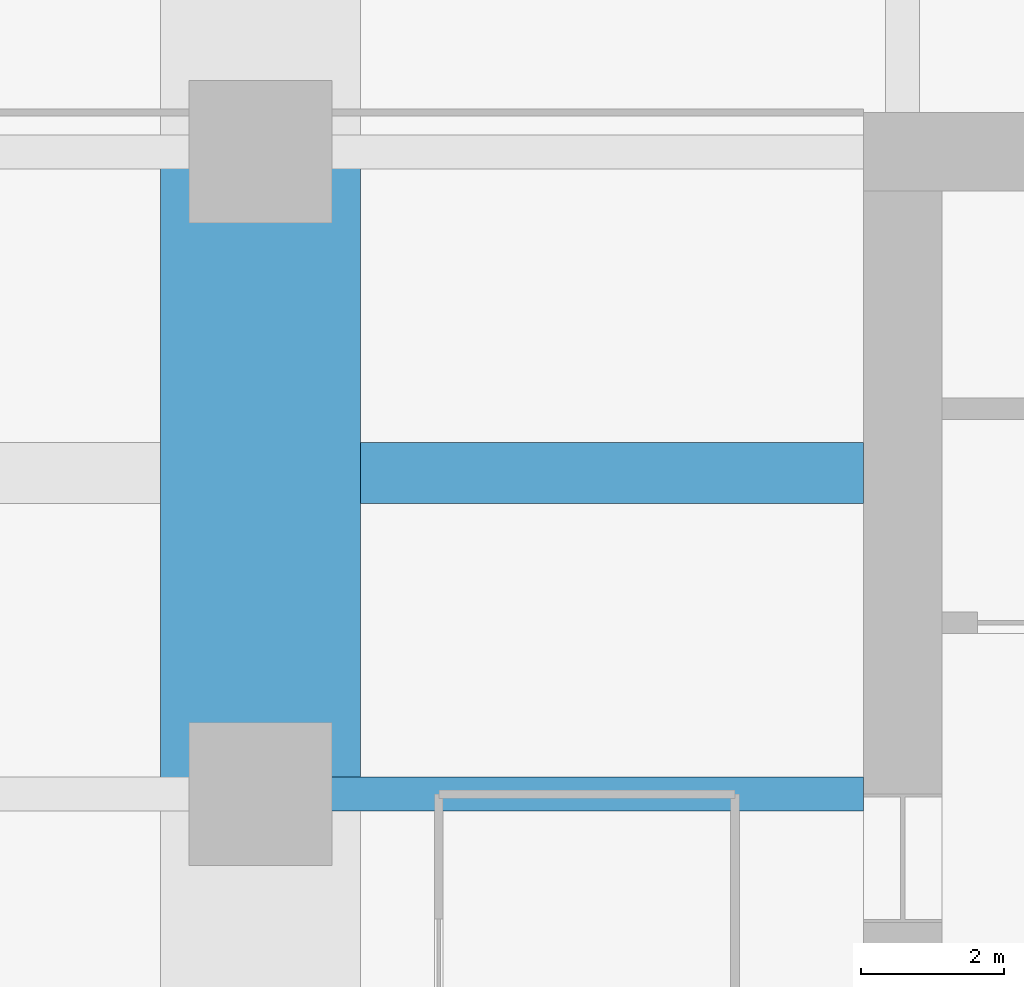
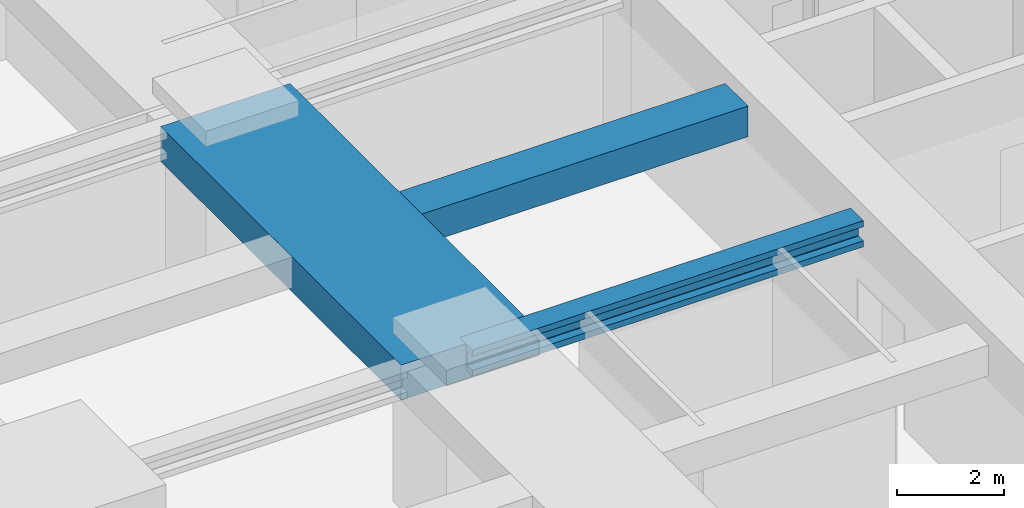
# One storey, part 13 of 45: 3 beams.
"""IFC4 building model written with IfcOpenShell, lengths in metres."""

import ifcopenshell
import ifcopenshell.guid

model = None  # the IFC model being written
_history = None  # IfcOwnerHistory: only IFC2X3 demands one
_inside = {}  # id of a spatial element -> (the spatial element, [elements in it])
_under = {}  # id of a project, library or spatial element -> (it, [spatial elements below it])
_declared = {}  # id of a project -> (the project, [libraries it declares])
_typed = {}  # id of a type object -> (the type object, [elements of that type])
_made_of = {}  # id of a material, layer set ... -> (it, [elements and type objects made of it])


def new_model(schema):
    """Start an empty IFC model of exactly this schema.

    Asked for "IFC4X3", IfcOpenShell would pick the latest addendum, in which some entities
    have other attributes; the version numbers below select the first issue.
    IFC2X3 requires an IfcOwnerHistory on every rooted entity: one is made here for all.
    """
    global model, _history
    if schema == "IFC4X3":
        model = ifcopenshell.file(schema_version=(4, 3, 0, 0))
    else:
        model = ifcopenshell.file(schema=schema)
    _inside.clear()
    _under.clear()
    _declared.clear()
    _typed.clear()
    _made_of.clear()
    _history = None
    if model.schema == "IFC2X3":
        org = make("IfcOrganization", Name="unknown")
        user = make(
            "IfcPersonAndOrganization",
            ThePerson=make("IfcPerson", FamilyName="unknown"),
            TheOrganization=org,
        )
        app = make(
            "IfcApplication",
            ApplicationDeveloper=org,
            Version="unknown",
            ApplicationFullName="unknown",
            ApplicationIdentifier="unknown",
        )
        _history = make(
            "IfcOwnerHistory",
            OwningUser=user,
            OwningApplication=app,
            ChangeAction="ADDED",
            CreationDate=0,
        )
    return model


def make(cls, **values):
    """One entity of the class cls with the attributes given. An attribute that is None is left unset."""
    return model.create_entity(
        cls, **{name: value for name, value in values.items() if value is not None}
    )


def rooted(cls, **values):
    """An entity with a GlobalId (a new one), such as an element, a storey or a relation."""
    return make(cls, GlobalId=ifcopenshell.guid.new(), OwnerHistory=_history, **values)


def si_unit(unit_type, name, prefix=None):
    """IfcSIUnit, for example si_unit("LENGTHUNIT", "METRE", prefix="MILLI")."""
    return make("IfcSIUnit", UnitType=unit_type, Prefix=prefix, Name=name)


def assignment(units):
    """IfcUnitAssignment: the units of a project."""
    return None if units is None else make("IfcUnitAssignment", Units=units)


def point(xyz):
    """IfcCartesianPoint."""
    return None if xyz is None else make("IfcCartesianPoint", Coordinates=xyz)


def direction(xyz):
    """IfcDirection."""
    return None if xyz is None else make("IfcDirection", DirectionRatios=xyz)


def frame(location, z_axis=None, x_axis=None):
    """IfcAxis2Placement3D, a coordinate frame: its origin and axes. An axis left out is left unset."""
    return make(
        "IfcAxis2Placement3D",
        Location=point(location),
        Axis=direction(z_axis),
        RefDirection=direction(x_axis),
    )


def frame_2d(location, x_axis=None):
    """IfcAxis2Placement2D, a coordinate frame in the plane: its origin and x axis."""
    return make(
        "IfcAxis2Placement2D", Location=point(location), RefDirection=direction(x_axis)
    )


def origin():
    """The frame at (0, 0, 0) with its axes left unset."""
    return frame((0.0, 0.0, 0.0))


def origin_2d():
    """The frame at (0, 0) in the plane with its x axis left unset."""
    return frame_2d((0.0, 0.0))


def place(relative_to, where):
    """IfcLocalPlacement: puts the frame where relative to a parent placement (None: the world)."""
    return make(
        "IfcLocalPlacement", PlacementRelTo=relative_to, RelativePlacement=where
    )


def context(
    kind, dimensions, precision=None, world=None, true_north=None, identifier=None
):
    """IfcGeometricRepresentationContext, for example the 3D "Model" context."""
    return make(
        "IfcGeometricRepresentationContext",
        ContextIdentifier=identifier,
        ContextType=kind,
        CoordinateSpaceDimension=dimensions,
        Precision=precision,
        WorldCoordinateSystem=world,
        TrueNorth=true_north,
    )


def subcontext(parent, identifier, kind, view, scale=None):
    """IfcGeometricRepresentationSubContext, for example "Body" below "Model"."""
    return make(
        "IfcGeometricRepresentationSubContext",
        ContextIdentifier=identifier,
        ContextType=kind,
        ParentContext=parent,
        TargetScale=scale,
        TargetView=view,
    )


def project(units=None, contexts=None):
    """IfcProject with its units and contexts."""
    return rooted(
        "IfcProject",
        Name="project",
        RepresentationContexts=contexts,
        UnitsInContext=assignment(units),
    )


def spatial(cls, under=None, at=None, **own):
    """A site, building, storey or space (cls), placed at a placement, below another one or the project."""
    s = rooted(cls, ObjectPlacement=at, **own)
    if under is not None:
        _under.setdefault(under.id(), (under, []))[1].append(s)
    return s


def profile(cls, at=None, kind="AREA", **sizes):
    """A parametric profile (cls). Its sizes go by their IFC names, for example OverallWidth=200.0."""
    return make(cls, ProfileType=kind, Position=at, **sizes)


def rectangle(**sizes):
    """IfcRectangleProfileDef."""
    return profile("IfcRectangleProfileDef", **sizes)


def i_section(**sizes):
    """IfcIShapeProfileDef."""
    return profile("IfcIShapeProfileDef", **sizes)


def extrude(swept, where, along, depth):
    """IfcExtrudedAreaSolid: the profile swept, set in the frame where, extruded along a direction by depth."""
    return make(
        "IfcExtrudedAreaSolid",
        SweptArea=swept,
        Position=where,
        ExtrudedDirection=direction(along),
        Depth=depth,
    )


def shape(context_of_items, identifier, shape_type, items):
    """IfcShapeRepresentation: the items that make up one representation, for example the "Body"."""
    return make(
        "IfcShapeRepresentation",
        ContextOfItems=context_of_items,
        RepresentationIdentifier=identifier,
        RepresentationType=shape_type,
        Items=items,
    )


def material(Name=None, Category=None):
    """IfcMaterial."""
    return make("IfcMaterial", Name=Name, Category=Category)


def material_profile(
    of_material, cross_section, Name=None, Category=None, Priority=None
):
    """IfcMaterialProfile: a cross section and its material."""
    return make(
        "IfcMaterialProfile",
        Name=Name,
        Material=of_material,
        Profile=cross_section,
        Priority=Priority,
        Category=Category,
    )


def profile_set(profiles, Name=None, composite=None):
    """IfcMaterialProfileSet."""
    return make(
        "IfcMaterialProfileSet",
        Name=Name,
        MaterialProfiles=profiles,
        CompositeProfile=composite,
    )


def made_of(thing, what):
    """Note that an element or type object is made of a material, layer set ...; save() writes the relation."""
    if what is not None:
        _made_of.setdefault(what.id(), (what, []))[1].append(thing)
    return thing


def type_object(cls, material=None, **own):
    """A type object (cls), such as IfcWallType, which elements share."""
    return made_of(rooted(cls, **own), material)


def element(
    cls,
    number,
    at=None,
    inside=None,
    cuts=None,
    type_object=None,
    material=None,
    context=None,
    identifier="Body",
    shape_type=None,
    held_by="IfcProductDefinitionShape",
    body=None,
    shapes=None,
    **own,
):
    """One element of the class cls, such as IfcWall. Its Tag is "e" and its number.

    at: its placement. inside: the storey or other place that contains it. cuts: it is an
    opening in that element (IfcRelVoidsElement). A single representation is given by context,
    identifier, shape_type and body (its items); several are given by shapes. held_by: the class
    of the entity that holds the representations. save() writes the other relations.
    """
    e = rooted(cls, Tag="e%d" % number, ObjectPlacement=at, **own)
    if body is not None:
        shapes = [shape(context, identifier, shape_type, body)]
    if shapes is not None:
        e.Representation = make(held_by, Representations=shapes)
    if inside is not None:
        _inside.setdefault(inside.id(), (inside, []))[1].append(e)
    if cuts is not None:
        rooted(
            "IfcRelVoidsElement", RelatingBuildingElement=cuts, RelatedOpeningElement=e
        )
    if type_object is not None:
        _typed.setdefault(type_object.id(), (type_object, []))[1].append(e)
    return made_of(e, material)


def aggregate(whole, parts):
    """IfcRelAggregates: a whole, such as a stair, and the parts it consists of."""
    return rooted("IfcRelAggregates", RelatingObject=whole, RelatedObjects=parts)


def save(model, path):
    """Write the relations noted so far, then the file.

    IfcRelAggregates (storeys below a building ...), IfcRelContainedInSpatialStructure (elements
    in a storey), IfcRelDefinesByType, IfcRelAssociatesMaterial and IfcRelDeclares: one each for
    every whole, place, type object, material and project.
    """
    for whole, parts in _under.values():
        aggregate(whole, parts)
    for where, things in _inside.values():
        rooted(
            "IfcRelContainedInSpatialStructure",
            RelatedElements=things,
            RelatingStructure=where,
        )
    for kind, things in _typed.values():
        rooted("IfcRelDefinesByType", RelatedObjects=things, RelatingType=kind)
    for what, things in _made_of.values():
        rooted("IfcRelAssociatesMaterial", RelatedObjects=things, RelatingMaterial=what)
    for by, libraries in _declared.values():
        rooted("IfcRelDeclares", RelatingContext=by, RelatedDefinitions=libraries)
    model.write(path)


model = new_model("IFC4")

# Units and contexts
model_context = context("Model", 3, precision=1e-05, world=origin(), true_north=direction((0.0, 1.0)))
body_context = subcontext(model_context, "Body", "Model", "MODEL_VIEW")
ifc_project = project(units=[si_unit("LENGTHUNIT", "METRE"), si_unit("AREAUNIT", "SQUARE_METRE"), si_unit("VOLUMEUNIT", "CUBIC_METRE"), si_unit("PLANEANGLEUNIT", "RADIAN"), si_unit("MASSUNIT", "GRAM", prefix="KILO")], contexts=[model_context])

# Site, building, storey
site_placement = place(None, origin())
site = spatial("IfcSite", under=ifc_project, at=site_placement, CompositionType="ELEMENT")
building_placement = place(site_placement, origin())
building = spatial("IfcBuilding", under=site, at=building_placement, Name="Zorevar Civic Tower", CompositionType="ELEMENT")
storey_placement = place(building_placement, frame((0.0, 0.0, 153.0)))
storey = spatial("IfcBuildingStorey", under=building, at=storey_placement, Name="L37", CompositionType="ELEMENT", Elevation=153.0)

# Beams
ifc_material_1 = material(Name="Concrete C50/60", Category="concrete")
ifc_material_profile_1 = material_profile(ifc_material_1, rectangle(XDim=2.800048828125, YDim=0.800048828125, at=origin_2d()), Name="RC 2800x800")
ifc_profile_set_1 = profile_set([ifc_material_profile_1], Name="Concrete C50/60")
beam_type_1 = type_object("IfcBeamType", Name="Beam RC 2800x800", PredefinedType="BEAM", material=ifc_profile_set_1)
beam_1_placement = place(storey_placement, frame((9.0, 27.0, 3.449951171875), z_axis=(0.0, 1.0, 0.0), x_axis=(-1.0, 0.0, 0.0)))
element("IfcBeam", 1, at=beam_1_placement, inside=storey, type_object=beam_type_1, Name="Girder L38", PredefinedType="BEAM", context=body_context, shape_type="SweptSolid", body=[
    extrude(rectangle(XDim=2.800048828125, YDim=0.800048828125, at=origin_2d()), origin(), (0.0, 0.0, 1.0), 9.0),
])
ifc_material_2 = material(Name="Concrete C50/60", Category="concrete")
ifc_material_profile_2 = material_profile(ifc_material_2, rectangle(XDim=0.85009765625, YDim=0.699951171875, at=origin_2d()), Name="RC 850x700")
ifc_profile_set_2 = profile_set([ifc_material_profile_2], Name="Concrete C50/60")
beam_type_2 = type_object("IfcBeamType", Name="Beam RC 850x700", PredefinedType="BEAM", material=ifc_profile_set_2)
beam_2_placement = place(storey_placement, frame((10.39990234375, 31.5, 3.5), z_axis=(1.0, 0.0, 0.0), x_axis=(0.0, 1.0, 0.0)))
element("IfcBeam", 2, at=beam_2_placement, inside=storey, type_object=beam_type_2, Name="Secondary beam L38", PredefinedType="BEAM", context=body_context, shape_type="SweptSolid", body=[
    extrude(rectangle(XDim=0.85009765625, YDim=0.699951171875, at=origin_2d()), origin(), (0.0, 0.0, 1.0), 7.050048828125),
])
ifc_material_3 = material(Name="Steel S460M (HISTAR 460)", Category="steel")
ifc_material_profile_3 = material_profile(ifc_material_3, i_section(OverallWidth=0.47607421875, OverallDepth=0.60009765625, WebThickness=0.10009765625, FlangeThickness=0.139892578125, FilletRadius=0.014892578125, at=origin_2d()), Name="HD 400x1299")
ifc_profile_set_3 = profile_set([ifc_material_profile_3], Name="Steel S460M (HISTAR 460)")
beam_type_3 = type_object("IfcBeamType", Name="Outrigger chord HD 400x1299", PredefinedType="BEAM", material=ifc_profile_set_3)
beam_3_placement = place(storey_placement, frame((9.0, 27.0, 3.550048828125), z_axis=(1.0, 0.0, 0.0), x_axis=(0.0, 1.0, 0.0)))
element("IfcBeam", 3, at=beam_3_placement, inside=storey, type_object=beam_type_3, Name="Outrigger chord L38", PredefinedType="BEAM", context=body_context, shape_type="SweptSolid", body=[
    extrude(i_section(OverallWidth=0.47607421875, OverallDepth=0.60009765625, WebThickness=0.10009765625, FlangeThickness=0.139892578125, FilletRadius=0.014892578125, at=origin_2d()), origin(), (0.0, 0.0, 1.0), 8.449951171875),
])

save(model, "model.ifc")
